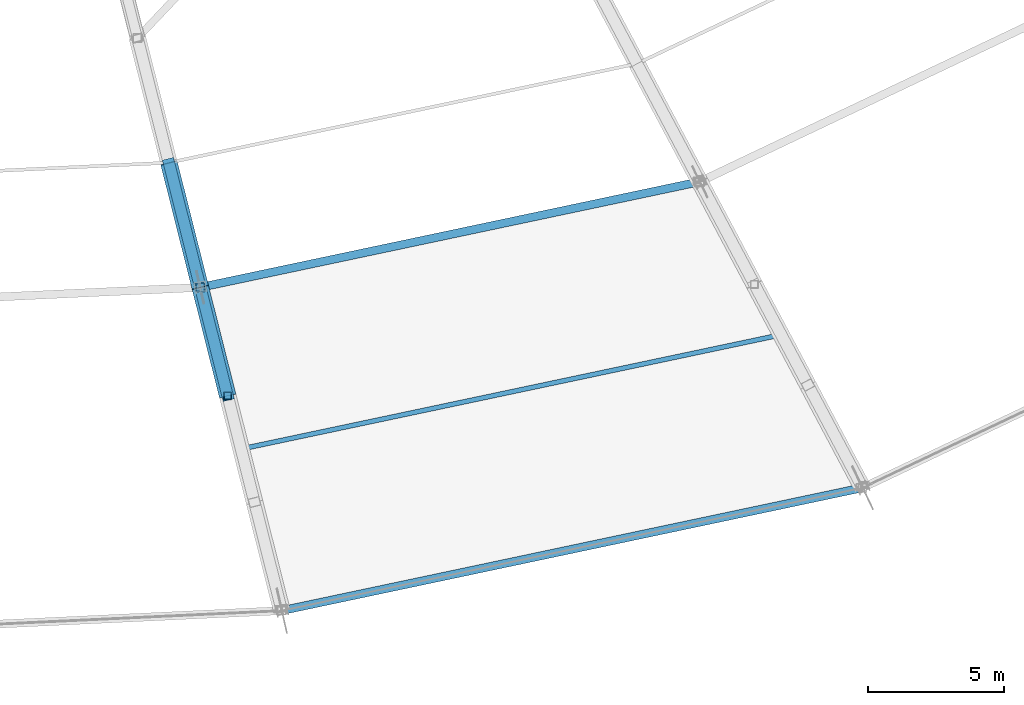
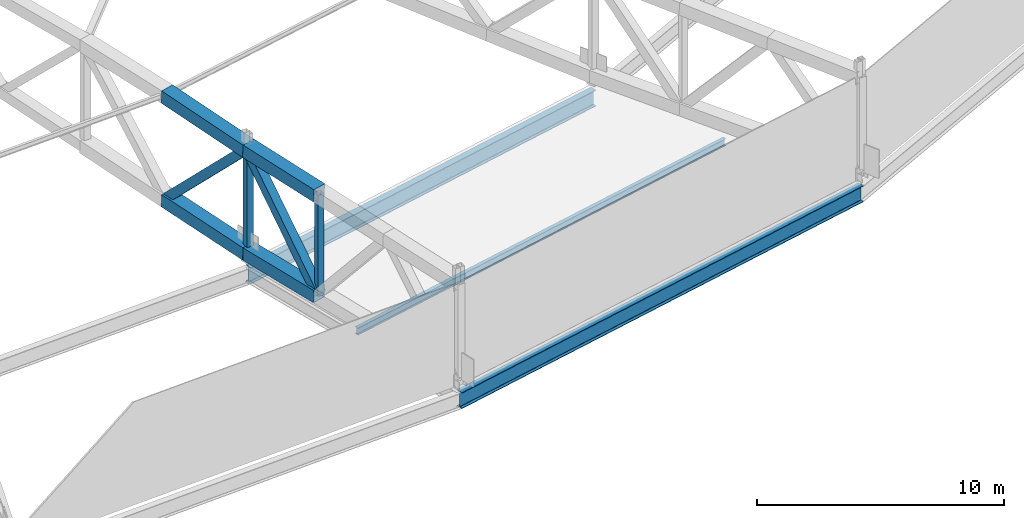
# One storey, part 30 of 162: 8 members, 3 beams.
"""IFC4 building model written with IfcOpenShell, lengths in metres."""

from ifc_helpers import new_model, si_unit, direction, frame, origin, origin_2d, place, context, subcontext, project, spatial, hollow_rectangle, i_section, extrude, material, material_profile, profile_set, type_object, element, save


model = new_model("IFC4")

# Units and contexts
model_context = context("Model", 3, precision=1e-05, world=origin(), true_north=direction((0.0, 1.0)))
body_context = subcontext(model_context, "Body", "Model", "MODEL_VIEW")
ifc_project = project(units=[si_unit("LENGTHUNIT", "METRE"), si_unit("AREAUNIT", "SQUARE_METRE"), si_unit("VOLUMEUNIT", "CUBIC_METRE"), si_unit("PLANEANGLEUNIT", "RADIAN"), si_unit("MASSUNIT", "GRAM", prefix="KILO")], contexts=[model_context])

# Site, building, storey
site_placement = place(None, origin())
site = spatial("IfcSite", under=ifc_project, at=site_placement, CompositionType="ELEMENT")
building_placement = place(site_placement, origin())
building = spatial("IfcBuilding", under=site, at=building_placement, Name="Kazemori Nagisa Stadium", CompositionType="ELEMENT")
storey_placement = place(building_placement, frame((0.0, 0.0, 36.719970703125)))
storey = spatial("IfcBuildingStorey", under=building, at=storey_placement, Name="RF", CompositionType="ELEMENT", Elevation=36.719970703125)

# Beams
ifc_material_1 = material(Name="Steel SN490B", Category="steel")
ifc_material_profile_1 = material_profile(ifc_material_1, i_section(OverallWidth=0.300048828125, OverallDepth=0.800048828125, WebThickness=0.013916015625, FlangeThickness=0.02587890625, FilletRadius=0.01806640625, at=origin_2d()), Name="H-800x300x14x26")
ifc_profile_set_1 = profile_set([ifc_material_profile_1], Name="Steel SN490B")
beam_type_1 = type_object("IfcBeamType", Name="Beam_BG-H800", PredefinedType="BEAM", material=ifc_profile_set_1)
beam_1_placement = place(storey_placement, frame((141.427734375, 28.911376953125, -0.679931640625), z_axis=(0.978345149833, 0.206980114499, 0.0), x_axis=(-0.206980114499, 0.978345149833, 0.0)))
element("IfcBeam", 1, at=beam_1_placement, inside=storey, type_object=beam_type_1, Name="Ring girder BG-H800 RF R2-23", PredefinedType="BEAM", context=body_context, shape_type="SweptSolid", body=[
    extrude(i_section(OverallWidth=0.300048828125, OverallDepth=0.800048828125, WebThickness=0.013916015625, FlangeThickness=0.02587890625, FilletRadius=0.01806640625, at=origin_2d()), origin(), (0.0, 0.0, 1.0), 18.791259765625),
])
beam_2_placement = place(storey_placement, frame((144.427734375, 17.01318359375, -0.679931640625), z_axis=(0.97834587432, 0.206976689994, 0.0), x_axis=(-0.206976689994, 0.97834587432, 0.0)))
element("IfcBeam", 2, at=beam_2_placement, inside=storey, type_object=beam_type_1, Name="Roof compression ring beam BG-H800 R3-23", PredefinedType="BEAM", context=body_context, shape_type="SweptSolid", body=[
    extrude(i_section(OverallWidth=0.300048828125, OverallDepth=0.800048828125, WebThickness=0.013916015625, FlangeThickness=0.02587890625, FilletRadius=0.01806640625, at=origin_2d()), origin(), (0.0, 0.0, 1.0), 21.85009765625),
])
ifc_material_profile_2 = material_profile(ifc_material_1, i_section(OverallWidth=0.175048828125, OverallDepth=0.35009765625, WebThickness=0.007080078125, FlangeThickness=0.010986328125, FilletRadius=0.012939453125, at=origin_2d()), Name="H-350x175x7x11")
ifc_profile_set_2 = profile_set([ifc_material_profile_2], Name="Steel SN490B")
beam_type_2 = type_object("IfcBeamType", Name="Beam_BJ-H350", PredefinedType="JOIST", material=ifc_profile_set_2)
beam_3_placement = place(storey_placement, frame((143.069580078125, 22.9921875, -0.455078125), z_axis=(0.978344719644, 0.20698214789, 0.0), x_axis=(-0.20698214789, 0.978344719644, 0.0)))
element("IfcBeam", 3, at=beam_3_placement, inside=storey, type_object=beam_type_2, Name="Outer bay joist BJ-H350 RF B23", PredefinedType="JOIST", context=body_context, shape_type="SweptSolid", body=[
    extrude(i_section(OverallWidth=0.175048828125, OverallDepth=0.35009765625, WebThickness=0.007080078125, FlangeThickness=0.010986328125, FilletRadius=0.012939453125, at=origin_2d()), origin(), (0.0, 0.0, 1.0), 20.03076171875),
])

# Members
ifc_material_2 = material(Name="Steel STKR490", Category="steel")
ifc_material_profile_3 = material_profile(ifc_material_2, hollow_rectangle(XDim=0.419921875, YDim=0.419921875, WallThickness=0.01611328125, at=origin_2d()), Name="SHS-420x420x16")
ifc_profile_set_3 = profile_set([ifc_material_profile_3], Name="Steel STKR490")
member_type_1 = type_object("IfcMemberType", Name="Member_TB-SHS420", PredefinedType="BRACE", material=ifc_profile_set_3)
member_1_placement = place(storey_placement, frame((142.434814453125, 24.9169921875, 0.43994140625), z_axis=(-0.153249104507, 0.607832387599, 0.779137022964), x_axis=(-0.969655974534, -0.244473497644, 0.0)))
element("IfcMember", 4, at=member_1_placement, inside=storey, type_object=member_type_1, Name="Roof space truss diagonal RT-23-3", PredefinedType="BRACE", context=body_context, shape_type="SweptSolid", body=[
    extrude(hollow_rectangle(XDim=0.419921875, YDim=0.419921875, WallThickness=0.01611328125, at=origin_2d()), origin(), (0.0, 0.0, 1.0), 6.571533203125),
])
member_2_placement = place(storey_placement, frame((141.427734375, 28.911376953125, 5.56005859375), z_axis=(-0.17123542147, 0.679232634056, -0.713667611194), x_axis=(-0.969661184378, -0.244452832895, 0.0)))
element("IfcMember", 5, at=member_2_placement, inside=storey, type_object=member_type_1, Name="Roof space truss diagonal RT-23-4", PredefinedType="BRACE", context=body_context, shape_type="SweptSolid", body=[
    extrude(hollow_rectangle(XDim=0.419921875, YDim=0.419921875, WallThickness=0.01611328125, at=origin_2d()), origin(), (0.0, 0.0, 1.0), 6.756591796875),
])
ifc_material_profile_4 = material_profile(ifc_material_2, hollow_rectangle(XDim=0.6201171875, YDim=0.6201171875, WallThickness=0.02197265625, at=origin_2d()), Name="SHS-620x620x22")
ifc_profile_set_4 = profile_set([ifc_material_profile_4], Name="Steel STKR490")
member_type_2 = type_object("IfcMemberType", Name="Member_TC-SHS620", PredefinedType="CHORD", material=ifc_profile_set_4)
member_3_placement = place(storey_placement, frame((142.434814453125, 24.9169921875, 5.419921875), z_axis=(-0.244332157838, 0.969095378035, 0.033999189963), x_axis=(-0.969655974534, -0.244473497644, 0.0)))
element("IfcMember", 6, at=member_3_placement, inside=storey, type_object=member_type_2, Name="Roof space truss top chord RT-23-3", PredefinedType="CHORD", context=body_context, shape_type="SweptSolid", body=[
    extrude(hollow_rectangle(XDim=0.6201171875, YDim=0.6201171875, WallThickness=0.02197265625, at=origin_2d()), origin(), (0.0, 0.0, 1.0), 4.121826171875),
])
member_4_placement = place(storey_placement, frame((142.434814453125, 24.9169921875, 0.43994140625), z_axis=(-0.244461950505, 0.969610175083, 0.009719214517), x_axis=(-0.969655974534, -0.244473497644, 0.0)))
element("IfcMember", 7, at=member_4_placement, inside=storey, type_object=member_type_2, Name="Roof space truss bottom chord RT-23-3", PredefinedType="CHORD", context=body_context, shape_type="SweptSolid", body=[
    extrude(hollow_rectangle(XDim=0.6201171875, YDim=0.6201171875, WallThickness=0.02197265625, at=origin_2d()), origin(), (0.0, 0.0, 1.0), 4.11962890625),
])
member_5_placement = place(storey_placement, frame((141.427734375, 28.911376953125, 5.56005859375), z_axis=(-0.243953496633, 0.967680487385, 0.063884002811), x_axis=(-0.969661184378, -0.244452832895, 0.0)))
element("IfcMember", 8, at=member_5_placement, inside=storey, type_object=member_type_2, Name="Roof space truss top chord RT-23-4", PredefinedType="CHORD", context=body_context, shape_type="SweptSolid", body=[
    extrude(hollow_rectangle(XDim=0.6201171875, YDim=0.6201171875, WallThickness=0.02197265625, at=origin_2d()), origin(), (0.0, 0.0, 1.0), 4.74267578125),
])
member_6_placement = place(storey_placement, frame((141.427734375, 28.911376953125, 0.47998046875), z_axis=(-0.244090285494, 0.968223082235, 0.054442589527), x_axis=(-0.969661184378, -0.244452832895, 0.0)))
element("IfcMember", 9, at=member_6_placement, inside=storey, type_object=member_type_2, Name="Roof space truss bottom chord RT-23-4", PredefinedType="CHORD", context=body_context, shape_type="SweptSolid", body=[
    extrude(hollow_rectangle(XDim=0.6201171875, YDim=0.6201171875, WallThickness=0.02197265625, at=origin_2d()), origin(), (0.0, 0.0, 1.0), 4.739990234375),
])
ifc_material_profile_5 = material_profile(ifc_material_2, hollow_rectangle(XDim=0.280029296875, YDim=0.280029296875, WallThickness=0.010009765625, at=origin_2d()), Name="SHS-280x280x10")
ifc_profile_set_5 = profile_set([ifc_material_profile_5], Name="Steel STKR490")
member_type_3 = type_object("IfcMemberType", Name="Member_TS-SHS280", PredefinedType="STRUT", material=ifc_profile_set_5)
member_7_placement = place(storey_placement, frame((142.434814453125, 24.9169921875, 0.43994140625), z_axis=(0.0, 0.0, 1.0), x_axis=(1.0, 0.0, 0.0)))
element("IfcMember", 10, at=member_7_placement, inside=storey, type_object=member_type_3, Name="Roof space truss strut RT-23-3", PredefinedType="STRUT", context=body_context, shape_type="SweptSolid", body=[
    extrude(hollow_rectangle(XDim=0.280029296875, YDim=0.280029296875, WallThickness=0.010009765625, at=origin_2d()), origin(), (0.0, 0.0, 1.0), 4.97998046875),
])
ifc_material_profile_6 = material_profile(ifc_material_2, hollow_rectangle(XDim=0.320068359375, YDim=0.320068359375, WallThickness=0.011962890625, at=origin_2d()), Name="SHS-320x320x12")
ifc_profile_set_6 = profile_set([ifc_material_profile_6], Name="Steel STKR490")
member_type_4 = type_object("IfcMemberType", Name="Member_TS-SHS320", PredefinedType="STRUT", material=ifc_profile_set_6)
member_8_placement = place(storey_placement, frame((141.427734375, 28.911376953125, 0.47998046875), z_axis=(0.0, 0.0, 1.0), x_axis=(1.0, 0.0, 0.0)))
element("IfcMember", 11, at=member_8_placement, inside=storey, type_object=member_type_4, Name="Roof space truss strut RT-23-4", PredefinedType="STRUT", context=body_context, shape_type="SweptSolid", body=[
    extrude(hollow_rectangle(XDim=0.320068359375, YDim=0.320068359375, WallThickness=0.011962890625, at=origin_2d()), origin(), (0.0, 0.0, 1.0), 5.080078125),
])

save(model, "model.ifc")
